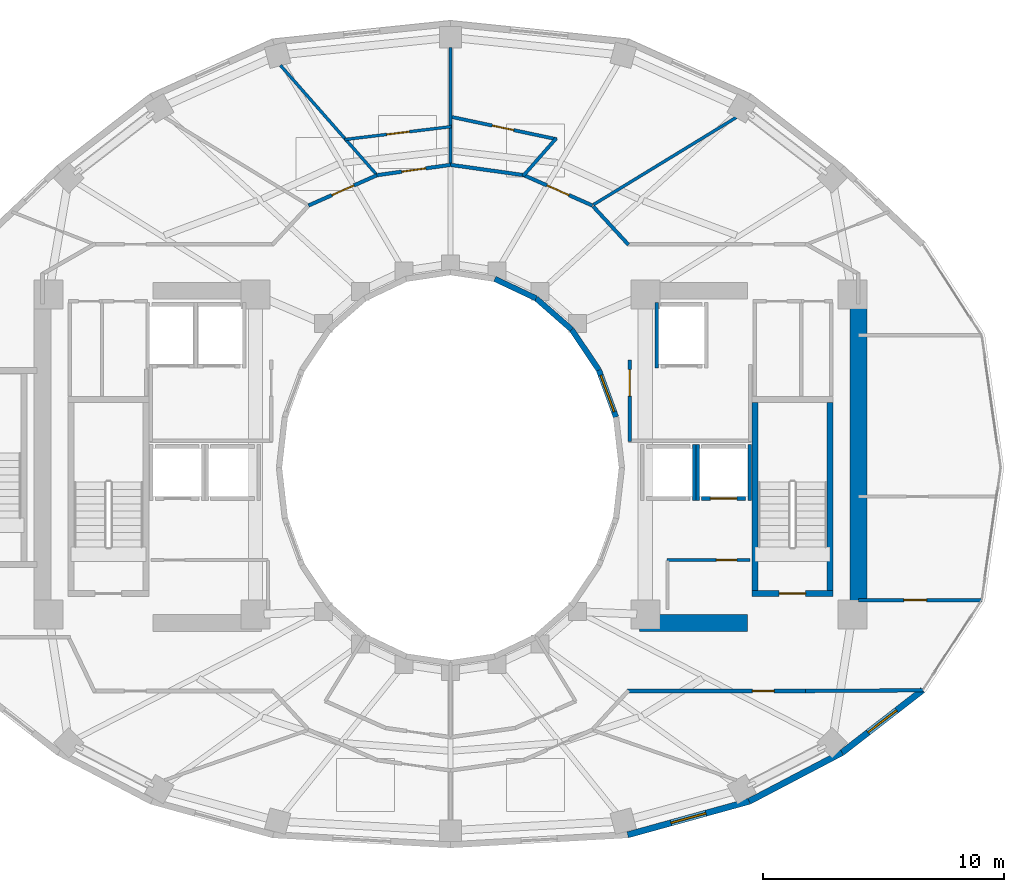
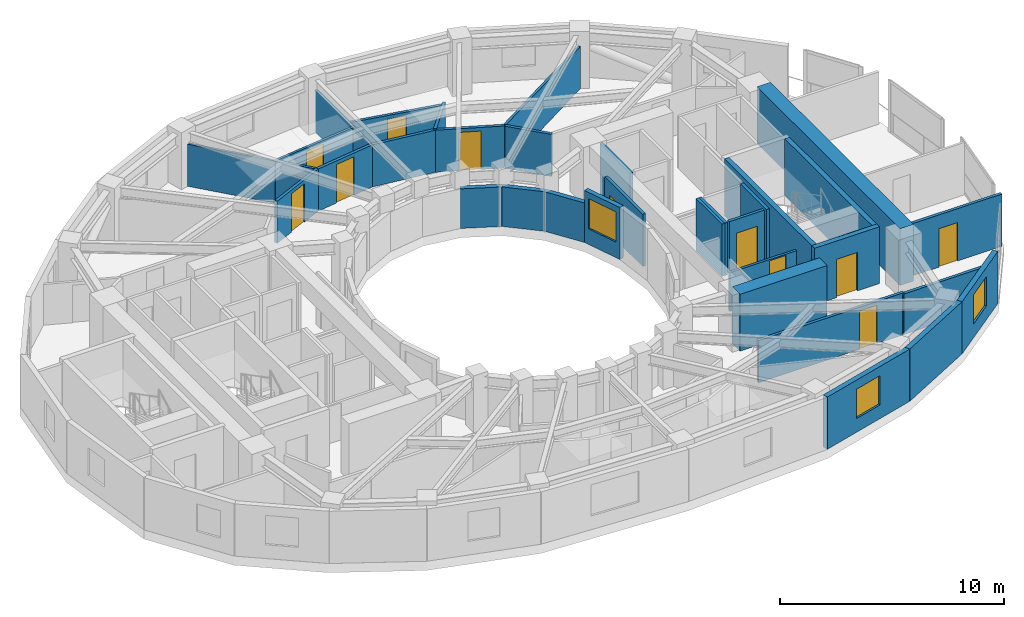
# One storey, part 8 of 13: 33 walls, 11 doors, 3 windows, 14 openings.
"""IFC4 building model written with IfcOpenShell, lengths in metres."""

from ifc_helpers import new_model, si_unit, direction, frame, frame_2d, origin, place, context, subcontext, project, spatial, rectangle, extrude, material, layer, layer_set, type_object, element, fill, save


model = new_model("IFC4")

# Units and contexts
model_context = context("Model", 3, precision=1e-05, world=origin(), true_north=direction((0.0, 1.0)))
body_context = subcontext(model_context, "Body", "Model", "MODEL_VIEW")
ifc_project = project(units=[si_unit("LENGTHUNIT", "METRE"), si_unit("AREAUNIT", "SQUARE_METRE"), si_unit("VOLUMEUNIT", "CUBIC_METRE"), si_unit("PLANEANGLEUNIT", "RADIAN"), si_unit("MASSUNIT", "GRAM", prefix="KILO")], contexts=[model_context])

# Site, building, storey
site_placement = place(None, origin())
site = spatial("IfcSite", under=ifc_project, at=site_placement, CompositionType="ELEMENT")
building_placement = place(site_placement, origin())
building = spatial("IfcBuilding", under=site, at=building_placement, Name="Solvane Sanctuary Tower", CompositionType="ELEMENT")
storey_placement = place(building_placement, frame((0.0, 0.0, 152.89990234375)))
storey = spatial("IfcBuildingStorey", under=building, at=storey_placement, Name="L46", CompositionType="ELEMENT", Elevation=152.89990234375)

# Walls
ifc_material_1 = material(Name="Concrete C60/75", Category="concrete")
ifc_layer_1 = layer(ifc_material_1, 0.699951171875, Name="Concrete C60/75")
ifc_layer_set_1 = layer_set([ifc_layer_1], Name="Concrete C60/75")
wall_type_1 = type_object("IfcWallType", Name="Wall W-CORE-700", PredefinedType="SHEAR", material=ifc_layer_set_1)
wall_1_placement = place(storey_placement, frame((48.949951171875, 17.050048828125, 0.0), z_axis=(0.0, 0.0, 1.0), x_axis=(0.0, 1.0, 0.0)))
element("IfcWall", 1, at=wall_1_placement, inside=storey, type_object=wall_type_1, Name="L46 Core Shear Wall EC-E", PredefinedType="SHEAR", context=body_context, shape_type="SweptSolid", body=[
    extrude(rectangle(XDim=12.800048828125, YDim=0.699951171875, at=frame_2d((6.39990234375, 0.0))), origin(), (0.0, 0.0, 1.0), 3.10009765625),
])
wall_2_placement = place(storey_placement, frame((39.85009765625, 16.550048828125, 0.0), z_axis=(0.0, 0.0, 1.0), x_axis=(1.0, 0.0, 0.0)))
element("IfcWall", 2, at=wall_2_placement, inside=storey, type_object=wall_type_1, Name="L46 Core Shear Wall EC-S", PredefinedType="SHEAR", context=body_context, shape_type="SweptSolid", body=[
    extrude(rectangle(XDim=4.5, YDim=0.699951171875, at=frame_2d((2.25, 0.0))), origin(), (0.0, 0.0, 1.0), 3.10009765625),
])

# Wall, opening, door
ifc_material_2 = material(Name="Acoustic Gypsum Partition Board")
ifc_layer_2 = layer(ifc_material_2, 0.14990234375, Name="Acoustic Gypsum Partition Board")
ifc_layer_set_2 = layer_set([ifc_layer_2], Name="Acoustic Gypsum Partition Board")
wall_type_2 = type_object("IfcWallType", Name="Wall W-CORR-150", PredefinedType="PARTITIONING", material=ifc_layer_set_2)
wall_3_placement = place(storey_placement, frame((39.449951171875, 24.080078125, 0.0), z_axis=(0.0, 0.0, 1.0), x_axis=(0.0, 1.0, 0.0)))
wall_3 = element("IfcWall", 3, at=wall_3_placement, inside=storey, type_object=wall_type_2, Name="L46 East Firefighting Lobby West Wall", PredefinedType="PARTITIONING", context=body_context, shape_type="SweptSolid", body=[
    extrude(rectangle(XDim=3.39990234375, YDim=0.14990234375, at=frame_2d((1.699951171875, 0.0))), origin(), (0.0, 0.0, 1.0), 2.85498046875),
])
opening_1_placement = place(wall_3_placement, frame((1.893798828125, 0.0, 0.0)))
opening_1 = element("IfcOpeningElement", 4, at=opening_1_placement, cuts=wall_3, Name="Opening D-L46-05", PredefinedType="OPENING", context=body_context, shape_type="SweptSolid", body=[
    extrude(rectangle(XDim=1.10009765625, YDim=2.10009765625, at=frame_2d((0.550048828125, 1.050048828125))), frame((0.0, 0.0849609375, 0.0), z_axis=(0.0, -1.0, 0.0), x_axis=(1.0, 0.0, 0.0)), (0.0, 0.0, 1.0), 0.169921875),
])
ifc_material_3 = material(Name="Architectural Stainless Steel 316", Category="steel")
door_type_1 = type_object("IfcDoorType", Name="Door D-FFL", OperationType="NOTDEFINED", PredefinedType="DOOR", material=ifc_material_3)
door_1_placement = place(opening_1_placement, origin())
door_1 = element("IfcDoor", 5, at=door_1_placement, inside=storey, type_object=door_type_1, Name="L46 East Firefighting Lobby Fire Door", OperationType="SINGLE_SWING_LEFT", OverallHeight=2.10009765625, OverallWidth=1.10009765625, PredefinedType="DOOR", context=body_context, shape_type="SweptSolid", body=[
    extrude(rectangle(XDim=1.10009765625, YDim=2.10009765625, at=frame_2d((0.550048828125, 1.050048828125))), frame((0.0, 0.02490234375, 0.0), z_axis=(0.0, -1.0, 0.0), x_axis=(1.0, 0.0, 0.0)), (0.0, 0.0, 1.0), 0.050048828125),
])
fill(opening_1, door_1)

wall_4_placement = place(storey_placement, frame((48.949951171875, 17.4970703125, 0.0), z_axis=(0.0, 0.0, 1.0), x_axis=(1.0, 0.0, 0.0)))
wall_4 = element("IfcWall", 6, at=wall_4_placement, inside=storey, type_object=wall_type_2, Name="L46 East Shoulder South Wall", PredefinedType="PARTITIONING", context=body_context, shape_type="SweptSolid", body=[
    extrude(rectangle(XDim=5.14013671875, YDim=0.14990234375, at=frame_2d((2.570068359375, 0.0))), origin(), (0.0, 0.0, 1.0), 2.85498046875),
])
opening_2_placement = place(wall_4_placement, frame((1.888671875, 0.0, 0.0)))
opening_2 = element("IfcOpeningElement", 7, at=opening_2_placement, cuts=wall_4, Name="Opening D-L46-12", PredefinedType="OPENING", context=body_context, shape_type="SweptSolid", body=[
    extrude(rectangle(XDim=0.949951171875, YDim=2.10009765625, at=frame_2d((0.47509765625, 1.050048828125))), frame((0.0, 0.0849609375, 0.0), z_axis=(0.0, -1.0, 0.0), x_axis=(1.0, 0.0, 0.0)), (0.0, 0.0, 1.0), 0.169921875),
])
ifc_material_4 = material(Name="Engineered Tropical Hardwood", Category="wood")
door_type_2 = type_object("IfcDoorType", Name="Door D-ROOM-950", OperationType="NOTDEFINED", PredefinedType="DOOR", material=ifc_material_4)
door_2_placement = place(opening_2_placement, origin())
door_2 = element("IfcDoor", 8, at=door_2_placement, inside=storey, type_object=door_type_2, Name="L46 East Shoulder South Door", OperationType="SINGLE_SWING_RIGHT", OverallHeight=2.10009765625, OverallWidth=0.949951171875, PredefinedType="DOOR", context=body_context, shape_type="SweptSolid", body=[
    extrude(rectangle(XDim=0.949951171875, YDim=2.10009765625, at=frame_2d((0.47509765625, 1.050048828125))), frame((0.0, 0.02490234375, 0.0), z_axis=(0.0, -1.0, 0.0), x_axis=(1.0, 0.0, 0.0)), (0.0, 0.0, 1.0), 0.050048828125),
])
fill(opening_2, door_2)

# Wall
wall_5_placement = place(storey_placement, frame((37.92822265625, 33.855712890625, 0.0), z_axis=(0.0, 0.0, 1.0), x_axis=(0.677579737957, -0.735449317567, 0.0)))
element("IfcWall", 9, at=wall_5_placement, inside=storey, type_object=wall_type_2, Name="L46 NE Corner Throat Wall", PredefinedType="PARTITIONING", context=body_context, shape_type="SweptSolid", body=[
    extrude(rectangle(XDim=2.172607421875, YDim=0.14990234375, at=frame_2d((1.08642578125, 0.0))), origin(), (0.0, 0.0, 1.0), 2.299072265625),
])

# Wall, opening, door
wall_6_placement = place(storey_placement, frame((39.330078125, 13.719970703125, 0.0), z_axis=(0.0, 0.0, 1.0), x_axis=(1.0, 0.0, 0.0)))
wall_6 = element("IfcWall", 10, at=wall_6_placement, inside=storey, type_object=wall_type_2, Name="L46 SE Corner Corridor Wall", PredefinedType="PARTITIONING", context=body_context, shape_type="SweptSolid", body=[
    extrude(rectangle(XDim=7.52001953125, YDim=0.14990234375, at=frame_2d((3.760009765625, 0.0))), origin(), (0.0, 0.0, 1.0), 2.299072265625),
])
opening_3_placement = place(wall_6_placement, frame((5.219970703125, 0.0, 0.0)))
opening_3 = element("IfcOpeningElement", 11, at=opening_3_placement, cuts=wall_6, Name="Opening D-L46-20", PredefinedType="OPENING", context=body_context, shape_type="SweptSolid", body=[
    extrude(rectangle(XDim=0.89990234375, YDim=2.10009765625, at=frame_2d((0.449951171875, 1.050048828125))), frame((0.0, 0.0849609375, 0.0), z_axis=(0.0, -1.0, 0.0), x_axis=(1.0, 0.0, 0.0)), (0.0, 0.0, 1.0), 0.169921875),
])
door_type_3 = type_object("IfcDoorType", Name="Door D-WET-900", OperationType="NOTDEFINED", PredefinedType="DOOR", material=ifc_material_4)
door_3_placement = place(opening_3_placement, origin())
door_3 = element("IfcDoor", 12, at=door_3_placement, inside=storey, type_object=door_type_3, Name="L46 SE Corner Salon Door", OperationType="SINGLE_SWING_RIGHT", OverallHeight=2.10009765625, OverallWidth=0.89990234375, PredefinedType="DOOR", context=body_context, shape_type="SweptSolid", body=[
    extrude(rectangle(XDim=0.89990234375, YDim=2.10009765625, at=frame_2d((0.449951171875, 1.050048828125))), frame((0.0, 0.02490234375, 0.0), z_axis=(0.0, -1.0, 0.0), x_axis=(1.0, 0.0, 0.0)), (0.0, 0.0, 1.0), 0.050048828125),
])
fill(opening_3, door_3)

# Walls
wall_7_placement = place(storey_placement, frame((46.75, 13.7197265625, 0.0), z_axis=(0.0, 0.0, 1.0), x_axis=(0.999981712056, 0.006047772638, 0.0)))
element("IfcWall", 13, at=wall_7_placement, inside=storey, type_object=wall_type_2, Name="L46 SE Corner Wing Wall", PredefinedType="PARTITIONING", context=body_context, shape_type="SweptSolid", body=[
    extrude(rectangle(XDim=4.884521484375, YDim=0.14990234375, at=frame_2d((2.4423828125, 0.0))), origin(), (0.0, 0.0, 1.0), 2.22021484375),
])
wall_8_placement = place(storey_placement, frame((35.098876953125, 35.146240234375, 0.0), z_axis=(0.0, 0.0, 1.0), x_axis=(-0.990251283702, 0.139292480508, 0.0)))
element("IfcWall", 14, at=wall_8_placement, inside=storey, type_object=wall_type_2, Name="L46 En-suite Inner Wall N1", PredefinedType="PARTITIONING", context=body_context, shape_type="SweptSolid", body=[
    extrude(rectangle(XDim=3.179443359375, YDim=0.14990234375, at=frame_2d((1.58984375, 0.0))), origin(), (0.0, 0.0, 1.0), 2.299072265625),
])

# Wall, opening, door
wall_9_placement = place(storey_placement, frame((37.898193359375, 33.891845703125, 0.0), z_axis=(0.0, 0.0, 1.0), x_axis=(-0.914519212393, 0.40454247016, 0.0)))
wall_9 = element("IfcWall", 15, at=wall_9_placement, inside=storey, type_object=wall_type_2, Name="L46 Unit Corridor Wall N1", PredefinedType="PARTITIONING", context=body_context, shape_type="SweptSolid", body=[
    extrude(rectangle(XDim=3.123779296875, YDim=0.14990234375, at=frame_2d((1.56201171875, 0.0))), origin(), (0.0, 0.0, 1.0), 2.299072265625),
])
opening_4_placement = place(wall_9_placement, frame((1.061767578125, 0.0, 0.0)))
opening_4 = element("IfcOpeningElement", 16, at=opening_4_placement, cuts=wall_9, Name="Opening D-L46-24", PredefinedType="OPENING", context=body_context, shape_type="SweptSolid", body=[
    extrude(rectangle(XDim=1.0, YDim=2.10009765625, at=frame_2d((0.5, 1.050048828125))), frame((0.0, 0.0849609375, 0.0), z_axis=(0.0, -1.0, 0.0), x_axis=(1.0, 0.0, 0.0)), (0.0, 0.0, 1.0), 0.169921875),
])
door_type_4 = type_object("IfcDoorType", Name="Door D-UNIT", OperationType="NOTDEFINED", PredefinedType="DOOR", material=ifc_material_4)
door_4_placement = place(opening_4_placement, origin())
door_4 = element("IfcDoor", 17, at=door_4_placement, inside=storey, type_object=door_type_4, Name="L46 Unit Entrance Door N1", OperationType="SINGLE_SWING_RIGHT", OverallHeight=2.10009765625, OverallWidth=1.0, PredefinedType="DOOR", context=body_context, shape_type="SweptSolid", body=[
    extrude(rectangle(XDim=1.0, YDim=2.10009765625, at=frame_2d((0.5, 1.050048828125))), frame((0.0, 0.02490234375, 0.0), z_axis=(0.0, -1.0, 0.0), x_axis=(1.0, 0.0, 0.0)), (0.0, 0.0, 1.0), 0.050048828125),
])
fill(opening_4, door_4)

wall_10_placement = place(storey_placement, frame((32.00830078125, 35.58203125, 0.0), z_axis=(0.0, 0.0, 1.0), x_axis=(-0.990254709652, -0.13926812274, 0.0)))
wall_10 = element("IfcWall", 18, at=wall_10_placement, inside=storey, type_object=wall_type_2, Name="L46 Unit Corridor Wall N2", PredefinedType="PARTITIONING", context=body_context, shape_type="SweptSolid", body=[
    extrude(rectangle(XDim=3.095947265625, YDim=0.14990234375, at=frame_2d((1.5478515625, 0.0))), origin(), (0.0, 0.0, 1.0), 2.299072265625),
])
opening_5_placement = place(wall_10_placement, frame((1.0478515625, 0.0, 0.0)))
opening_5 = element("IfcOpeningElement", 19, at=opening_5_placement, cuts=wall_10, Name="Opening D-L46-26", PredefinedType="OPENING", context=body_context, shape_type="SweptSolid", body=[
    extrude(rectangle(XDim=1.0, YDim=2.10009765625, at=frame_2d((0.5, 1.050048828125))), frame((0.0, 0.0849609375, 0.0), z_axis=(0.0, -1.0, 0.0), x_axis=(1.0, 0.0, 0.0)), (0.0, 0.0, 1.0), 0.169921875),
])
door_5_placement = place(opening_5_placement, origin())
door_5 = element("IfcDoor", 20, at=door_5_placement, inside=storey, type_object=door_type_4, Name="L46 Unit Entrance Door N2", OperationType="SINGLE_SWING_RIGHT", OverallHeight=2.10009765625, OverallWidth=1.0, PredefinedType="DOOR", context=body_context, shape_type="SweptSolid", body=[
    extrude(rectangle(XDim=1.0, YDim=2.10009765625, at=frame_2d((0.5, 1.050048828125))), frame((0.0, 0.02490234375, 0.0), z_axis=(0.0, -1.0, 0.0), x_axis=(1.0, 0.0, 0.0)), (0.0, 0.0, 1.0), 0.050048828125),
])
fill(opening_5, door_5)

wall_11_placement = place(storey_placement, frame((28.95849609375, 35.155517578125, 0.0), z_axis=(0.0, 0.0, 1.0), x_axis=(-0.914519212393, -0.40454247016, 0.0)))
wall_11 = element("IfcWall", 21, at=wall_11_placement, inside=storey, type_object=wall_type_2, Name="L46 Unit Corridor Wall N3", PredefinedType="PARTITIONING", context=body_context, shape_type="SweptSolid", body=[
    extrude(rectangle(XDim=3.123779296875, YDim=0.14990234375, at=frame_2d((1.56201171875, 0.0))), origin(), (0.0, 0.0, 1.0), 2.299072265625),
])
opening_6_placement = place(wall_11_placement, frame((1.061767578125, 0.0, 0.0)))
opening_6 = element("IfcOpeningElement", 22, at=opening_6_placement, cuts=wall_11, Name="Opening D-L46-27", PredefinedType="OPENING", context=body_context, shape_type="SweptSolid", body=[
    extrude(rectangle(XDim=1.0, YDim=2.10009765625, at=frame_2d((0.5, 1.050048828125))), frame((0.0, 0.0849609375, 0.0), z_axis=(0.0, -1.0, 0.0), x_axis=(1.0, 0.0, 0.0)), (0.0, 0.0, 1.0), 0.169921875),
])
door_6_placement = place(opening_6_placement, origin())
door_6 = element("IfcDoor", 23, at=door_6_placement, inside=storey, type_object=door_type_4, Name="L46 Unit Entrance Door N3", OperationType="SINGLE_SWING_LEFT", OverallHeight=2.10009765625, OverallWidth=1.0, PredefinedType="DOOR", context=body_context, shape_type="SweptSolid", body=[
    extrude(rectangle(XDim=1.0, YDim=2.10009765625, at=frame_2d((0.5, 1.050048828125))), frame((0.0, 0.02490234375, 0.0), z_axis=(0.0, -1.0, 0.0), x_axis=(1.0, 0.0, 0.0)), (0.0, 0.0, 1.0), 0.050048828125),
])
fill(opening_6, door_6)

# Wall, opening, window
ifc_material_5 = material(Name="Precast concrete C40/50", Category="concrete")
ifc_layer_3 = layer(ifc_material_5, 0.260009765625, Name="Precast concrete C40/50")
ifc_layer_set_3 = layer_set([ifc_layer_3], Name="Precast concrete C40/50")
wall_type_3 = type_object("IfcWallType", Name="Wall W-EXT-250", PredefinedType="STANDARD", material=ifc_layer_set_3)
wall_12_placement = place(storey_placement, frame((39.365234375, 7.743408203125, 0.0), z_axis=(0.0, 0.0, 1.0), x_axis=(0.963953455704, 0.26607092144, 0.0)))
wall_12 = element("IfcWall", 24, at=wall_12_placement, inside=storey, type_object=wall_type_3, Name="L46 Ceramic-Printed Facade Wall 19", PredefinedType="STANDARD", context=body_context, shape_type="SweptSolid", body=[
    extrude(rectangle(XDim=5.236572265625, YDim=0.260009765625, at=frame_2d((2.6181640625, 0.0))), origin(), (0.0, 0.0, 1.0), 2.85009765625),
])
opening_7_placement = place(wall_12_placement, frame((1.868408203125, 0.0, 0.75)))
opening_7 = element("IfcOpeningElement", 25, at=opening_7_placement, cuts=wall_12, Name="Opening WN-OPER-1500", PredefinedType="OPENING", context=body_context, shape_type="SweptSolid", body=[
    extrude(rectangle(XDim=1.5, YDim=1.60009765625, at=frame_2d((0.75, 0.800048828125))), frame((0.0, 0.139892578125, 0.0), z_axis=(0.0, -1.0, 0.0), x_axis=(1.0, 0.0, 0.0)), (0.0, 0.0, 1.0), 0.280029296875),
])
ifc_material_6 = material(Name="Dark Ceramic-Fritted Low-E Glass", Category="glass")
window_type_1 = type_object("IfcWindowType", Name="Window WN-OPER-1500", PartitioningType="SINGLE_PANEL", PredefinedType="WINDOW", material=ifc_material_6)
window_1_placement = place(opening_7_placement, origin())
window_1 = element("IfcWindow", 26, at=window_1_placement, inside=storey, type_object=window_type_1, Name="L46 Operable Facade Window 19", OverallHeight=1.60009765625, OverallWidth=1.5, PartitioningType="SINGLE_PANEL", PredefinedType="WINDOW", context=body_context, shape_type="SweptSolid", body=[
    extrude(rectangle(XDim=1.5, YDim=1.60009765625, at=frame_2d((0.75, 0.800048828125))), frame((0.0, 0.030029296875, 0.0), z_axis=(0.0, -1.0, 0.0), x_axis=(1.0, 0.0, 0.0)), (0.0, 0.0, 1.0), 0.06005859375),
])
fill(opening_7, window_1)

# Wall
wall_13_placement = place(storey_placement, frame((44.4130859375, 9.13671875, 0.0), z_axis=(0.0, 0.0, 1.0), x_axis=(0.885660265226, 0.464333818065, 0.0)))
element("IfcWall", 27, at=wall_13_placement, inside=storey, type_object=wall_type_3, Name="L46 Ceramic-Printed Facade Wall 20", PredefinedType="STANDARD", context=body_context, shape_type="SweptSolid", body=[
    extrude(rectangle(XDim=4.35400390625, YDim=0.260009765625, at=frame_2d((2.177001953125, 0.0))), origin(), (0.0, 0.0, 1.0), 2.85009765625),
])

# Wall, opening, window
wall_14_placement = place(storey_placement, frame((48.269287109375, 11.158447265625, 0.0), z_axis=(0.0, 0.0, 1.0), x_axis=(0.790185650662, 0.612867552973, 0.0)))
wall_14 = element("IfcWall", 28, at=wall_14_placement, inside=storey, type_object=wall_type_3, Name="L46 Ceramic-Printed Facade Wall 21", PredefinedType="STANDARD", context=body_context, shape_type="SweptSolid", body=[
    extrude(rectangle(XDim=4.2392578125, YDim=0.260009765625, at=frame_2d((2.11962890625, 0.0))), origin(), (0.0, 0.0, 1.0), 2.85009765625),
])
opening_8_placement = place(wall_14_placement, frame((1.36962890625, 0.0, 0.75)))
opening_8 = element("IfcOpeningElement", 29, at=opening_8_placement, cuts=wall_14, Name="Opening WN-OPER-1500", PredefinedType="OPENING", context=body_context, shape_type="SweptSolid", body=[
    extrude(rectangle(XDim=1.5, YDim=1.60009765625, at=frame_2d((0.75, 0.800048828125))), frame((0.0, 0.139892578125, 0.0), z_axis=(0.0, -1.0, 0.0), x_axis=(1.0, 0.0, 0.0)), (0.0, 0.0, 1.0), 0.280029296875),
])
window_2_placement = place(opening_8_placement, origin())
window_2 = element("IfcWindow", 30, at=window_2_placement, inside=storey, type_object=window_type_1, Name="L46 Operable Facade Window 21", OverallHeight=1.60009765625, OverallWidth=1.5, PartitioningType="SINGLE_PANEL", PredefinedType="WINDOW", context=body_context, shape_type="SweptSolid", body=[
    extrude(rectangle(XDim=1.5, YDim=1.60009765625, at=frame_2d((0.75, 0.800048828125))), frame((0.0, 0.030029296875, 0.0), z_axis=(0.0, -1.0, 0.0), x_axis=(1.0, 0.0, 0.0)), (0.0, 0.0, 1.0), 0.06005859375),
])
fill(opening_8, window_2)

ifc_layer_4 = layer(ifc_material_5, 0.22998046875, Name="Precast concrete C40/50")
ifc_layer_set_4 = layer_set([ifc_layer_4], Name="Precast concrete C40/50")
wall_type_4 = type_object("IfcWallType", Name="Wall W-EXT-SP220", PredefinedType="STANDARD", material=ifc_layer_set_4)
wall_15_placement = place(storey_placement, frame((38.87744140625, 25.1015625, 0.0), z_axis=(0.0, 0.0, 1.0), x_axis=(-0.341423187295, 0.93990968033, 0.0)))
wall_15 = element("IfcWall", 31, at=wall_15_placement, inside=storey, type_object=wall_type_4, Name="L46 Central Light-Well Wall 01", PredefinedType="STANDARD", context=body_context, shape_type="SweptSolid", body=[
    extrude(rectangle(XDim=2.083740234375, YDim=0.22998046875, at=frame_2d((1.0419921875, 0.0))), origin(), (0.0, 0.0, 1.0), 2.840087890625),
])
opening_9_placement = place(wall_15_placement, frame((0.24169921875, 0.0, 0.85009765625)))
opening_9 = element("IfcOpeningElement", 32, at=opening_9_placement, cuts=wall_15, Name="Opening WN-WELL-1600", PredefinedType="OPENING", context=body_context, shape_type="SweptSolid", body=[
    extrude(rectangle(XDim=1.60009765625, YDim=1.64990234375, at=frame_2d((0.800048828125, 0.824951171875))), frame((0.0, 0.125, 0.0), z_axis=(0.0, -1.0, 0.0), x_axis=(1.0, 0.0, 0.0)), (0.0, 0.0, 1.0), 0.25),
])
ifc_material_7 = material(Name="Clear Laminated Light-Well Glass", Category="glass")
window_type_2 = type_object("IfcWindowType", Name="Window WN-WELL-1600", PartitioningType="SINGLE_PANEL", PredefinedType="WINDOW", material=ifc_material_7)
window_3_placement = place(opening_9_placement, origin())
window_3 = element("IfcWindow", 33, at=window_3_placement, inside=storey, type_object=window_type_2, Name="L46 Light-Well Daylight Window 01", OverallHeight=1.64990234375, OverallWidth=1.60009765625, PartitioningType="SINGLE_PANEL", PredefinedType="WINDOW", context=body_context, shape_type="SweptSolid", body=[
    extrude(rectangle(XDim=1.60009765625, YDim=1.64990234375, at=frame_2d((0.800048828125, 0.824951171875))), frame((0.0, 0.030029296875, 0.0), z_axis=(0.0, -1.0, 0.0), x_axis=(1.0, 0.0, 0.0)), (0.0, 0.0, 1.0), 0.06005859375),
])
fill(opening_9, window_3)

# Walls
wall_16_placement = place(storey_placement, frame((38.166015625, 27.06005859375, 0.0), z_axis=(0.0, 0.0, 1.0), x_axis=(-0.558197800898, 0.829707909492, 0.0)))
element("IfcWall", 34, at=wall_16_placement, inside=storey, type_object=wall_type_4, Name="L46 Central Light-Well Wall 02", PredefinedType="STANDARD", context=body_context, shape_type="SweptSolid", body=[
    extrude(rectangle(XDim=2.02685546875, YDim=0.22998046875, at=frame_2d((1.013427734375, 0.0))), origin(), (0.0, 0.0, 1.0), 2.16015625),
])
wall_17_placement = place(storey_placement, frame((37.03466796875, 28.74169921875, 0.0), z_axis=(0.0, 0.0, 1.0), x_axis=(-0.752576694707, 0.658504607869, 0.0)))
element("IfcWall", 35, at=wall_17_placement, inside=storey, type_object=wall_type_4, Name="L46 Central Light-Well Wall 03", PredefinedType="STANDARD", context=body_context, shape_type="SweptSolid", body=[
    extrude(rectangle(XDim=1.95947265625, YDim=0.22998046875, at=frame_2d((0.979736328125, 0.0))), origin(), (0.0, 0.0, 1.0), 2.16015625),
])
wall_18_placement = place(storey_placement, frame((35.56005859375, 30.031982421875, 0.0), z_axis=(0.0, 0.0, 1.0), x_axis=(-0.904179699603, 0.427152280606, 0.0)))
element("IfcWall", 36, at=wall_18_placement, inside=storey, type_object=wall_type_4, Name="L46 Central Light-Well Wall 04", PredefinedType="STANDARD", context=body_context, shape_type="SweptSolid", body=[
    extrude(rectangle(XDim=1.899169921875, YDim=0.22998046875, at=frame_2d((0.94970703125, 0.0))), origin(), (0.0, 0.0, 1.0), 2.16015625),
])

# Wall, opening, door
ifc_layer_5 = layer(ifc_material_2, 0.1201171875, Name="Acoustic Gypsum Partition Board")
ifc_layer_set_5 = layer_set([ifc_layer_5], Name="Acoustic Gypsum Partition Board")
wall_type_5 = type_object("IfcWallType", Name="Wall W-MOV-100", PredefinedType="MOVABLE", material=ifc_layer_set_5)
wall_19_placement = place(storey_placement, frame((32.049560546875, 37.17138671875, 0.0), z_axis=(0.0, 0.0, 1.0), x_axis=(-0.992759753087, -0.120116912424, 0.0)))
wall_19 = element("IfcWall", 37, at=wall_19_placement, inside=storey, type_object=wall_type_5, Name="L46 Suite Sitting Lounge Partition N2", PredefinedType="MOVABLE", context=body_context, shape_type="SweptSolid", body=[
    extrude(rectangle(XDim=4.48779296875, YDim=0.1201171875, at=frame_2d((2.243896484375, 0.0))), origin(), (0.0, 0.0, 1.0), 2.299072265625),
])
opening_10_placement = place(wall_19_placement, frame((1.768798828125, 0.0, 0.0)))
opening_10 = element("IfcOpeningElement", 38, at=opening_10_placement, cuts=wall_19, Name="Opening D-L46-25", PredefinedType="OPENING", context=body_context, shape_type="SweptSolid", body=[
    extrude(rectangle(XDim=0.949951171875, YDim=2.10009765625, at=frame_2d((0.47509765625, 1.050048828125))), frame((0.0, 0.070068359375, 0.0), z_axis=(0.0, -1.0, 0.0), x_axis=(1.0, 0.0, 0.0)), (0.0, 0.0, 1.0), 0.14013671875),
])
door_7_placement = place(opening_10_placement, origin())
door_7 = element("IfcDoor", 39, at=door_7_placement, inside=storey, type_object=door_type_2, Name="L46 Suite Sitting Lounge Door N2", OperationType="SINGLE_SWING_LEFT", OverallHeight=2.10009765625, OverallWidth=0.949951171875, PredefinedType="DOOR", context=body_context, shape_type="SweptSolid", body=[
    extrude(rectangle(XDim=0.949951171875, YDim=2.10009765625, at=frame_2d((0.47509765625, 1.050048828125))), frame((0.0, 0.02490234375, 0.0), z_axis=(0.0, -1.0, 0.0), x_axis=(1.0, 0.0, 0.0)), (0.0, 0.0, 1.0), 0.050048828125),
])
fill(opening_10, door_7)

ifc_layer_6 = layer(ifc_material_2, 0.125, Name="Acoustic Gypsum Partition Board")
ifc_layer_set_6 = layer_set([ifc_layer_6], Name="Acoustic Gypsum Partition Board")
wall_type_6 = type_object("IfcWallType", Name="Wall W-PART-125", PredefinedType="PARTITIONING", material=ifc_layer_set_6)
wall_20_placement = place(storey_placement, frame((41.0, 19.159912109375, 0.0), z_axis=(0.0, 0.0, 1.0), x_axis=(1.0, 0.0, 0.0)))
wall_20 = element("IfcWall", 40, at=wall_20_placement, inside=storey, type_object=wall_type_6, Name="L46 Reclaimed Room Partition PLE", PredefinedType="PARTITIONING", context=body_context, shape_type="SweptSolid", body=[
    extrude(rectangle(XDim=3.449951171875, YDim=0.125, at=frame_2d((1.72509765625, 0.0))), origin(), (0.0, 0.0, 1.0), 2.1201171875),
])
opening_11_placement = place(wall_20_placement, frame((2.050048828125, 0.0, 0.0)))
opening_11 = element("IfcOpeningElement", 41, at=opening_11_placement, cuts=wall_20, Name="Opening D-L46-07", PredefinedType="OPENING", context=body_context, shape_type="SweptSolid", body=[
    extrude(rectangle(XDim=0.85009765625, YDim=2.050048828125, at=frame_2d((0.425048828125, 1.02490234375))), frame((0.0, 0.072509765625, 0.0), z_axis=(0.0, -1.0, 0.0), x_axis=(1.0, 0.0, 0.0)), (0.0, 0.0, 1.0), 0.14501953125),
])
door_type_5 = type_object("IfcDoorType", Name="Door D-RISER", OperationType="NOTDEFINED", PredefinedType="DOOR", material=ifc_material_3)
door_8_placement = place(opening_11_placement, origin())
door_8 = element("IfcDoor", 42, at=door_8_placement, inside=storey, type_object=door_type_5, Name="L46 Reclaimed Room Door PLE-1", OperationType="SINGLE_SWING_LEFT", OverallHeight=2.050048828125, OverallWidth=0.85009765625, PredefinedType="DOOR", context=body_context, shape_type="SweptSolid", body=[
    extrude(rectangle(XDim=0.85009765625, YDim=2.050048828125, at=frame_2d((0.425048828125, 1.02490234375))), frame((0.0, 0.02490234375, 0.0), z_axis=(0.0, -1.0, 0.0), x_axis=(1.0, 0.0, 0.0)), (0.0, 0.0, 1.0), 0.050048828125),
])
fill(opening_11, door_8)

# Walls
wall_21_placement = place(storey_placement, frame((37.93798828125, 33.925048828125, 0.0), z_axis=(0.0, 0.0, 1.0), x_axis=(0.853440334679, 0.521190555501, 0.0)))
element("IfcWall", 43, at=wall_21_placement, inside=storey, type_object=wall_type_6, Name="L46 Radial Compartment Wall 060", PredefinedType="PARTITIONING", context=body_context, shape_type="SweptSolid", body=[
    extrude(rectangle(XDim=6.966064453125, YDim=0.125, at=frame_2d((3.48291015625, 0.0))), origin(), (0.0, 0.0, 1.0), 2.299072265625),
])
wall_22_placement = place(storey_placement, frame((32.0, 35.636962890625, 0.0), z_axis=(0.0, 0.0, 1.0), x_axis=(0.0, 1.0, 0.0)))
element("IfcWall", 44, at=wall_22_placement, inside=storey, type_object=wall_type_6, Name="L46 Radial Compartment Wall 090", PredefinedType="PARTITIONING", context=body_context, shape_type="SweptSolid", body=[
    extrude(rectangle(XDim=4.81298828125, YDim=0.125, at=frame_2d((2.406494140625, 0.0))), origin(), (0.0, 0.0, 1.0), 2.299072265625),
])
wall_23_placement = place(storey_placement, frame((28.914306640625, 35.194580078125, 0.0), z_axis=(0.0, 0.0, 1.0), x_axis=(-0.660581320981, 0.750754499401, 0.0)))
element("IfcWall", 45, at=wall_23_placement, inside=storey, type_object=wall_type_6, Name="L46 Radial Compartment Wall 105", PredefinedType="PARTITIONING", context=body_context, shape_type="SweptSolid", body=[
    extrude(rectangle(XDim=6.02685546875, YDim=0.125, at=frame_2d((3.013427734375, 0.0))), origin(), (0.0, 0.0, 1.0), 2.299072265625),
])

# Wall, opening, door
ifc_material_8 = material(Name="Concrete C50/60", Category="concrete")
ifc_layer_7 = layer(ifc_material_8, 0.14990234375, Name="Concrete C50/60")
ifc_layer_set_7 = layer_set([ifc_layer_7], Name="Concrete C50/60")
wall_type_7 = type_object("IfcWallType", Name="Wall W-SHAFT-150", PredefinedType="SOLIDWALL", material=ifc_layer_set_7)
wall_24_placement = place(storey_placement, frame((42.43994140625, 21.719970703125, 0.0), z_axis=(0.0, 0.0, 1.0), x_axis=(1.0, 0.0, 0.0)))
wall_24 = element("IfcWall", 46, at=wall_24_placement, inside=storey, type_object=wall_type_7, Name="L46 PM-2 Lift Shaft Wall F", PredefinedType="SOLIDWALL", context=body_context, shape_type="SweptSolid", body=[
    extrude(rectangle(XDim=1.820068359375, YDim=0.14990234375, at=frame_2d((0.91015625, 0.0))), origin(), (0.0, 0.0, 1.0), 2.85498046875),
])
opening_12_placement = place(wall_24_placement, frame((0.360107421875, 0.0, 0.0)))
opening_12 = element("IfcOpeningElement", 47, at=opening_12_placement, cuts=wall_24, Name="Opening LD-L46-02", PredefinedType="OPENING", context=body_context, shape_type="SweptSolid", body=[
    extrude(rectangle(XDim=1.10009765625, YDim=2.10009765625, at=frame_2d((0.550048828125, 1.050048828125))), frame((0.0, 0.0849609375, 0.0), z_axis=(0.0, -1.0, 0.0), x_axis=(1.0, 0.0, 0.0)), (0.0, 0.0, 1.0), 0.169921875),
])
door_type_6 = type_object("IfcDoorType", Name="Door LD-PASS-1100", OperationType="NOTDEFINED", PredefinedType="DOOR", material=ifc_material_3)
door_9_placement = place(opening_12_placement, origin())
door_9 = element("IfcDoor", 48, at=door_9_placement, inside=storey, type_object=door_type_6, Name="L46 PM-2 Lift Landing Door", OperationType="DOUBLE_DOOR_SLIDING", OverallHeight=2.10009765625, OverallWidth=1.10009765625, PredefinedType="DOOR", context=body_context, shape_type="SweptSolid", body=[
    extrude(rectangle(XDim=1.10009765625, YDim=2.10009765625, at=frame_2d((0.550048828125, 1.050048828125))), frame((0.0, 0.02490234375, 0.0), z_axis=(0.0, -1.0, 0.0), x_axis=(1.0, 0.0, 0.0)), (0.0, 0.0, 1.0), 0.050048828125),
])
fill(opening_12, door_9)

# Walls
for number, where, z_axis, x_axis, name in (
    (49, (42.27001953125, 21.639892578125, 0.0), (0.0, 0.0, 1.0), (0.0, 1.0, 0.0), "L46 PM-2 Lift Shaft Wall S1"),
    (50, (44.429931640625, 21.639892578125, 0.0), (0.0, 0.0, 1.0), (0.0, 1.0, 0.0), "L46 PM-2 Lift Shaft Wall S2"),
    (51, (42.1298828125, 21.639892578125, 0.0), (0.0, 0.0, 1.0), (0.0, 1.0, 0.0), "L46 PH-2 Lift Shaft Wall S2"),
):
    element("IfcWall", number, at=place(storey_placement, frame(where, z_axis=z_axis, x_axis=x_axis)), inside=storey, type_object=wall_type_7, Name=name, PredefinedType="SOLIDWALL", context=body_context, shape_type="SweptSolid", body=[
        extrude(rectangle(XDim=2.320068359375, YDim=0.14990234375, at=frame_2d((1.16015625, 0.0))), origin(), (0.0, 0.0, 1.0), 2.85498046875),
    ])
wall_25_placement = place(storey_placement, frame((40.570068359375, 27.139892578125, 0.0), z_axis=(0.0, 0.0, 1.0), x_axis=(0.0, 1.0, 0.0)))
element("IfcWall", 52, at=wall_25_placement, inside=storey, type_object=wall_type_7, Name="L46 FFL-2 Lift Shaft Wall S1", PredefinedType="SOLIDWALL", context=body_context, shape_type="SweptSolid", body=[
    extrude(rectangle(XDim=2.72021484375, YDim=0.14990234375, at=frame_2d((1.360107421875, 0.0))), origin(), (0.0, 0.0, 1.0), 2.85498046875),
])

# Wall, opening, door
ifc_layer_8 = layer(ifc_material_8, 0.25, Name="Concrete C50/60")
ifc_layer_set_8 = layer_set([ifc_layer_8], Name="Concrete C50/60")
wall_type_8 = type_object("IfcWallType", Name="Wall W-SHAFT-250", PredefinedType="SOLIDWALL", material=ifc_layer_set_8)
wall_26_placement = place(storey_placement, frame((44.52490234375, 17.77001953125, 0.0), z_axis=(0.0, 0.0, 1.0), x_axis=(1.0, 0.0, 0.0)))
wall_26 = element("IfcWall", 53, at=wall_26_placement, inside=storey, type_object=wall_type_8, Name="L46 ST-2 Load-Bearing Shaft Wall S", PredefinedType="SOLIDWALL", context=body_context, shape_type="SweptSolid", body=[
    extrude(rectangle(XDim=3.3701171875, YDim=0.25, at=frame_2d((1.68505859375, 0.0))), origin(), (0.0, 0.0, 1.0), 3.10009765625),
])
opening_13_placement = place(wall_26_placement, frame((1.135009765625, 0.0, 0.0)))
opening_13 = element("IfcOpeningElement", 54, at=opening_13_placement, cuts=wall_26, Name="Opening D-L46-02", PredefinedType="OPENING", context=body_context, shape_type="SweptSolid", body=[
    extrude(rectangle(XDim=1.10009765625, YDim=2.10009765625, at=frame_2d((0.550048828125, 1.050048828125))), frame((0.0, 0.135009765625, 0.0), z_axis=(0.0, -1.0, 0.0), x_axis=(1.0, 0.0, 0.0)), (0.0, 0.0, 1.0), 0.27001953125),
])
door_type_7 = type_object("IfcDoorType", Name="Door D-STAIR", OperationType="NOTDEFINED", PredefinedType="DOOR", material=ifc_material_3)
door_10_placement = place(opening_13_placement, origin())
door_10 = element("IfcDoor", 55, at=door_10_placement, inside=storey, type_object=door_type_7, Name="L46 ST-2 Exit Stair Fire Door", OperationType="SINGLE_SWING_LEFT", OverallHeight=2.10009765625, OverallWidth=1.10009765625, PredefinedType="DOOR", context=body_context, shape_type="SweptSolid", body=[
    extrude(rectangle(XDim=1.10009765625, YDim=2.10009765625, at=frame_2d((0.550048828125, 1.050048828125))), frame((0.0, 0.02490234375, 0.0), z_axis=(0.0, -1.0, 0.0), x_axis=(1.0, 0.0, 0.0)), (0.0, 0.0, 1.0), 0.050048828125),
])
fill(opening_13, door_10)

# Walls
for number, where, z_axis, x_axis, name in (
    (56, (44.64990234375, 17.89501953125, 0.0), (0.0, 0.0, 1.0), (0.0, 1.0, 0.0), "L46 ST-2 Load-Bearing Shaft Wall W"),
    (57, (47.77001953125, 17.89501953125, 0.0), (0.0, 0.0, 1.0), (0.0, 1.0, 0.0), "L46 ST-2 Load-Bearing Shaft Wall E"),
):
    element("IfcWall", number, at=place(storey_placement, frame(where, z_axis=z_axis, x_axis=x_axis)), inside=storey, type_object=wall_type_8, Name=name, PredefinedType="SOLIDWALL", context=body_context, shape_type="SweptSolid", body=[
        extrude(rectangle(XDim=7.81005859375, YDim=0.25, at=frame_2d((3.905029296875, 0.0))), origin(), (0.0, 0.0, 1.0), 3.10009765625),
    ])
ifc_layer_9 = layer(ifc_material_2, 0.139892578125, Name="Acoustic Gypsum Partition Board")
ifc_layer_set_9 = layer_set([ifc_layer_9], Name="Acoustic Gypsum Partition Board")
wall_type_9 = type_object("IfcWallType", Name="Wall W-WET-140", PredefinedType="PLUMBINGWALL", material=ifc_layer_set_9)
wall_27_placement = place(storey_placement, frame((35.016357421875, 35.11572265625, 0.0), z_axis=(0.0, 0.0, 1.0), x_axis=(0.660559753652, 0.750773475727, 0.0)))
element("IfcWall", 58, at=wall_27_placement, inside=storey, type_object=wall_type_9, Name="L46 En-suite Side Partition N1", PredefinedType="PLUMBINGWALL", context=body_context, shape_type="SweptSolid", body=[
    extrude(rectangle(XDim=2.10009765625, YDim=0.139892578125, at=frame_2d((1.050048828125, 0.0))), origin(), (0.0, 0.0, 1.0), 2.385009765625),
])

# Wall, opening, door
wall_28_placement = place(storey_placement, frame((36.41943359375, 36.644287109375, 0.0), z_axis=(0.0, 0.0, 1.0), x_axis=(-0.978225905005, 0.20754295646, 0.0)))
wall_28 = element("IfcWall", 59, at=wall_28_placement, inside=storey, type_object=wall_type_9, Name="L46 En-suite Bedroom Wall N1", PredefinedType="PLUMBINGWALL", context=body_context, shape_type="SweptSolid", body=[
    extrude(rectangle(XDim=4.567626953125, YDim=0.139892578125, at=frame_2d((2.28369140625, 0.0))), origin(), (0.0, 0.0, 1.0), 2.299072265625),
])
opening_14_placement = place(wall_28_placement, frame((1.833984375, 0.0, 0.0)))
opening_14 = element("IfcOpeningElement", 60, at=opening_14_placement, cuts=wall_28, Name="Opening D-L46-23", PredefinedType="OPENING", context=body_context, shape_type="SweptSolid", body=[
    extrude(rectangle(XDim=0.89990234375, YDim=2.10009765625, at=frame_2d((0.449951171875, 1.050048828125))), frame((0.0, 0.079833984375, 0.0), z_axis=(0.0, -1.0, 0.0), x_axis=(1.0, 0.0, 0.0)), (0.0, 0.0, 1.0), 0.159912109375),
])
door_11_placement = place(opening_14_placement, origin())
door_11 = element("IfcDoor", 61, at=door_11_placement, inside=storey, type_object=door_type_3, Name="L46 En-suite Bathroom Door N1", OperationType="SINGLE_SWING_LEFT", OverallHeight=2.10009765625, OverallWidth=0.89990234375, PredefinedType="DOOR", context=body_context, shape_type="SweptSolid", body=[
    extrude(rectangle(XDim=0.89990234375, YDim=2.10009765625, at=frame_2d((0.449951171875, 1.050048828125))), frame((0.0, 0.02490234375, 0.0), z_axis=(0.0, -1.0, 0.0), x_axis=(1.0, 0.0, 0.0)), (0.0, 0.0, 1.0), 0.050048828125),
])
fill(opening_14, door_11)

save(model, "model.ifc")
